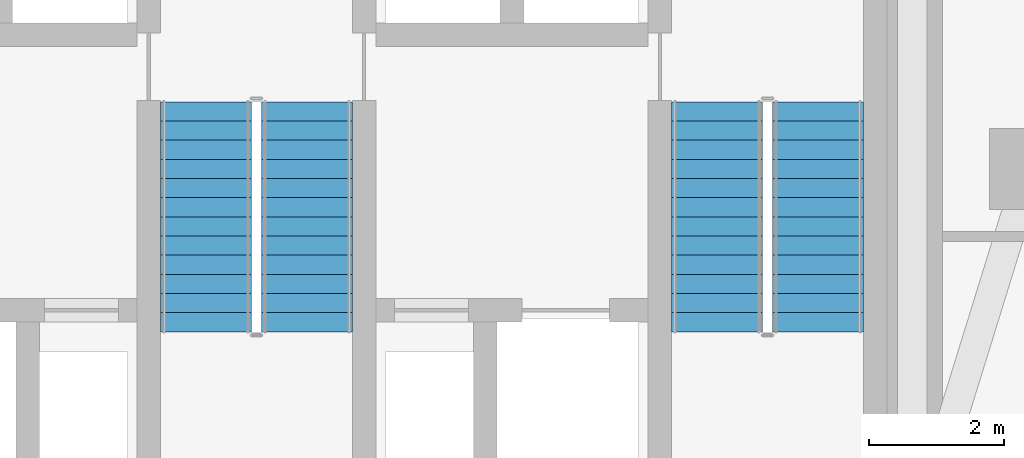
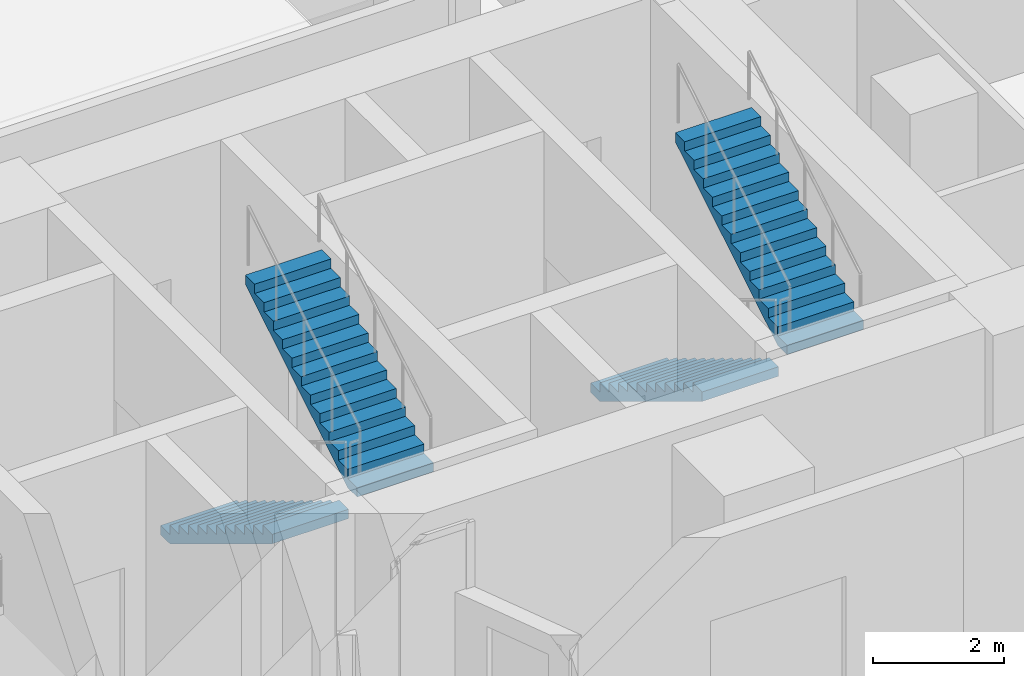
# One storey, part 10 of 12: 4 stair flights, 2 elements without a shape of their own.
"""IFC4 building model written with IfcOpenShell, lengths in metres."""

from ifc_helpers import new_model, si_unit, direction, frame, origin, place, context, subcontext, project, spatial, polyline, outline, extrude, material, type_object, element, aggregate, save


model = new_model("IFC4")

# Units and contexts
model_context = context("Model", 3, precision=1e-05, world=origin(), true_north=direction((0.0, 1.0)))
body_context = subcontext(model_context, "Body", "Model", "MODEL_VIEW")
ifc_project = project(units=[si_unit("LENGTHUNIT", "METRE"), si_unit("AREAUNIT", "SQUARE_METRE"), si_unit("VOLUMEUNIT", "CUBIC_METRE"), si_unit("PLANEANGLEUNIT", "RADIAN"), si_unit("MASSUNIT", "GRAM", prefix="KILO")], contexts=[model_context])

# Site, building, storey
site_placement = place(None, origin())
site = spatial("IfcSite", under=ifc_project, at=site_placement, CompositionType="ELEMENT")
building_placement = place(site_placement, origin())
building = spatial("IfcBuilding", under=site, at=building_placement, Name="Almagre Mirador Tower", CompositionType="ELEMENT")
storey_placement = place(building_placement, frame((0.0, 0.0, 12.89990234375)))
storey = spatial("IfcBuildingStorey", under=building, at=storey_placement, Name="L02", CompositionType="ELEMENT", Elevation=12.89990234375)

# Stair, stair flights
ifc_material_1 = material(Name="Concrete C45/55", Category="concrete")
stair_type = type_object("IfcStairType", Name="STR-DL-4500", PredefinedType="HALF_TURN_STAIR", material=ifc_material_1)
stair_1_placement = place(storey_placement, origin())
stair_1 = element("IfcStair", 1, at=stair_1_placement, inside=storey, type_object=stair_type, Name="L02 Protected exit stair ST-2", PredefinedType="HALF_TURN_STAIR")
ifc_material_2 = material(Name="Concrete C45/55", Category="concrete")
stair_flight_type = type_object("IfcStairFlightType", Name="FLT-DL-4500", PredefinedType="STRAIGHT", material=ifc_material_2)
stair_flight_1_placement = place(storey_placement, frame((36.550048828125, 11.199951171875, 0.0), z_axis=(0.0, 0.0, 1.0), x_axis=(0.0, -1.0, 0.0)))
stair_flight_1 = element("IfcStairFlight", 2, at=stair_flight_1_placement, type_object=stair_flight_type, Name="ST-2 flight 1", NumberOfRisers=13, NumberOfTreads=12, PredefinedType="STRAIGHT", RiserHeight=0.173076923, TreadLength=0.285, context=body_context, shape_type="SweptSolid", body=[
    extrude(outline(polyline([(0.0, 0.0), (0.0, 0.173095703125), (0.284912109375, 0.173095703125), (0.284912109375, 0.34619140625), (0.570068359375, 0.34619140625), (0.570068359375, 0.519287109375), (0.85498046875, 0.519287109375), (0.85498046875, 0.6923828125), (1.139892578125, 0.6923828125), (1.139892578125, 0.865478515625), (1.425048828125, 0.865478515625), (1.425048828125, 1.03857421875), (1.7099609375, 1.03857421875), (1.7099609375, 1.21142578125), (1.9951171875, 1.21142578125), (1.9951171875, 1.384521484375), (2.280029296875, 1.384521484375), (2.280029296875, 1.5576171875), (2.56494140625, 1.5576171875), (2.56494140625, 1.730712890625), (2.85009765625, 1.730712890625), (2.85009765625, 1.90380859375), (3.135009765625, 1.90380859375), (3.135009765625, 2.076904296875), (3.419921875, 2.076904296875), (3.419921875, 2.25), (3.419921875, 1.901611328125), (0.288818359375, 0.0), (0.0, 0.0)])), frame((0.0, 0.675048828125, 0.0), z_axis=(0.0, -1.0, 0.0), x_axis=(1.0, 0.0, 0.0)), (0.0, 0.0, 1.0), 1.35009765625),
])
stair_flight_2_placement = place(storey_placement, frame((38.050048828125, 7.780029296875, 2.25), z_axis=(0.0, 0.0, 1.0), x_axis=(0.0, 1.0, 0.0)))
stair_flight_2 = element("IfcStairFlight", 3, at=stair_flight_2_placement, type_object=stair_flight_type, Name="ST-2 flight 2", NumberOfRisers=13, NumberOfTreads=12, PredefinedType="STRAIGHT", RiserHeight=0.173076923, TreadLength=0.285, context=body_context, shape_type="SweptSolid", body=[
    extrude(outline(polyline([(0.0, 0.0), (0.0, 0.173095703125), (0.284912109375, 0.173095703125), (0.284912109375, 0.34619140625), (0.570068359375, 0.34619140625), (0.570068359375, 0.519287109375), (0.85498046875, 0.519287109375), (0.85498046875, 0.6923828125), (1.139892578125, 0.6923828125), (1.139892578125, 0.865478515625), (1.425048828125, 0.865478515625), (1.425048828125, 1.03857421875), (1.7099609375, 1.03857421875), (1.7099609375, 1.21142578125), (1.9951171875, 1.21142578125), (1.9951171875, 1.384521484375), (2.280029296875, 1.384521484375), (2.280029296875, 1.5576171875), (2.56494140625, 1.5576171875), (2.56494140625, 1.730712890625), (2.85009765625, 1.730712890625), (2.85009765625, 1.90380859375), (3.135009765625, 1.90380859375), (3.135009765625, 2.076904296875), (3.419921875, 2.076904296875), (3.419921875, 2.25), (3.419921875, 1.901611328125), (0.288818359375, 0.0), (0.0, 0.0)])), frame((0.0, 0.675048828125, 0.0), z_axis=(0.0, -1.0, 0.0), x_axis=(1.0, 0.0, 0.0)), (0.0, 0.0, 1.0), 1.35009765625),
])
aggregate(stair_1, [stair_flight_1, stair_flight_2])

stair_2_placement = place(storey_placement, origin())
stair_2 = element("IfcStair", 4, at=stair_2_placement, inside=storey, type_object=stair_type, Name="L02 Protected exit stair ST-3", PredefinedType="HALF_TURN_STAIR")
stair_flight_3_placement = place(storey_placement, frame((44.14990234375, 11.199951171875, 0.0), z_axis=(0.0, 0.0, 1.0), x_axis=(0.0, -1.0, 0.0)))
stair_flight_3 = element("IfcStairFlight", 5, at=stair_flight_3_placement, type_object=stair_flight_type, Name="ST-3 flight 1", NumberOfRisers=13, NumberOfTreads=12, PredefinedType="STRAIGHT", RiserHeight=0.173076923, TreadLength=0.285, context=body_context, shape_type="SweptSolid", body=[
    extrude(outline(polyline([(0.0, 0.0), (0.0, 0.173095703125), (0.284912109375, 0.173095703125), (0.284912109375, 0.34619140625), (0.570068359375, 0.34619140625), (0.570068359375, 0.519287109375), (0.85498046875, 0.519287109375), (0.85498046875, 0.6923828125), (1.139892578125, 0.6923828125), (1.139892578125, 0.865478515625), (1.425048828125, 0.865478515625), (1.425048828125, 1.03857421875), (1.7099609375, 1.03857421875), (1.7099609375, 1.21142578125), (1.9951171875, 1.21142578125), (1.9951171875, 1.384521484375), (2.280029296875, 1.384521484375), (2.280029296875, 1.5576171875), (2.56494140625, 1.5576171875), (2.56494140625, 1.730712890625), (2.85009765625, 1.730712890625), (2.85009765625, 1.90380859375), (3.135009765625, 1.90380859375), (3.135009765625, 2.076904296875), (3.419921875, 2.076904296875), (3.419921875, 2.25), (3.419921875, 1.901611328125), (0.288818359375, 0.0), (0.0, 0.0)])), frame((0.0, 0.675048828125, 0.0), z_axis=(0.0, -1.0, 0.0), x_axis=(1.0, 0.0, 0.0)), (0.0, 0.0, 1.0), 1.35009765625),
])
stair_flight_4_placement = place(storey_placement, frame((45.64990234375, 7.780029296875, 2.25), z_axis=(0.0, 0.0, 1.0), x_axis=(0.0, 1.0, 0.0)))
stair_flight_4 = element("IfcStairFlight", 6, at=stair_flight_4_placement, type_object=stair_flight_type, Name="ST-3 flight 2", NumberOfRisers=13, NumberOfTreads=12, PredefinedType="STRAIGHT", RiserHeight=0.173076923, TreadLength=0.285, context=body_context, shape_type="SweptSolid", body=[
    extrude(outline(polyline([(0.0, 0.0), (0.0, 0.173095703125), (0.284912109375, 0.173095703125), (0.284912109375, 0.34619140625), (0.570068359375, 0.34619140625), (0.570068359375, 0.519287109375), (0.85498046875, 0.519287109375), (0.85498046875, 0.6923828125), (1.139892578125, 0.6923828125), (1.139892578125, 0.865478515625), (1.425048828125, 0.865478515625), (1.425048828125, 1.03857421875), (1.7099609375, 1.03857421875), (1.7099609375, 1.21142578125), (1.9951171875, 1.21142578125), (1.9951171875, 1.384521484375), (2.280029296875, 1.384521484375), (2.280029296875, 1.5576171875), (2.56494140625, 1.5576171875), (2.56494140625, 1.730712890625), (2.85009765625, 1.730712890625), (2.85009765625, 1.90380859375), (3.135009765625, 1.90380859375), (3.135009765625, 2.076904296875), (3.419921875, 2.076904296875), (3.419921875, 2.25), (3.419921875, 1.901611328125), (0.288818359375, 0.0), (0.0, 0.0)])), frame((0.0, 0.675048828125, 0.0), z_axis=(0.0, -1.0, 0.0), x_axis=(1.0, 0.0, 0.0)), (0.0, 0.0, 1.0), 1.35009765625),
])
aggregate(stair_2, [stair_flight_3, stair_flight_4])

save(model, "model.ifc")
